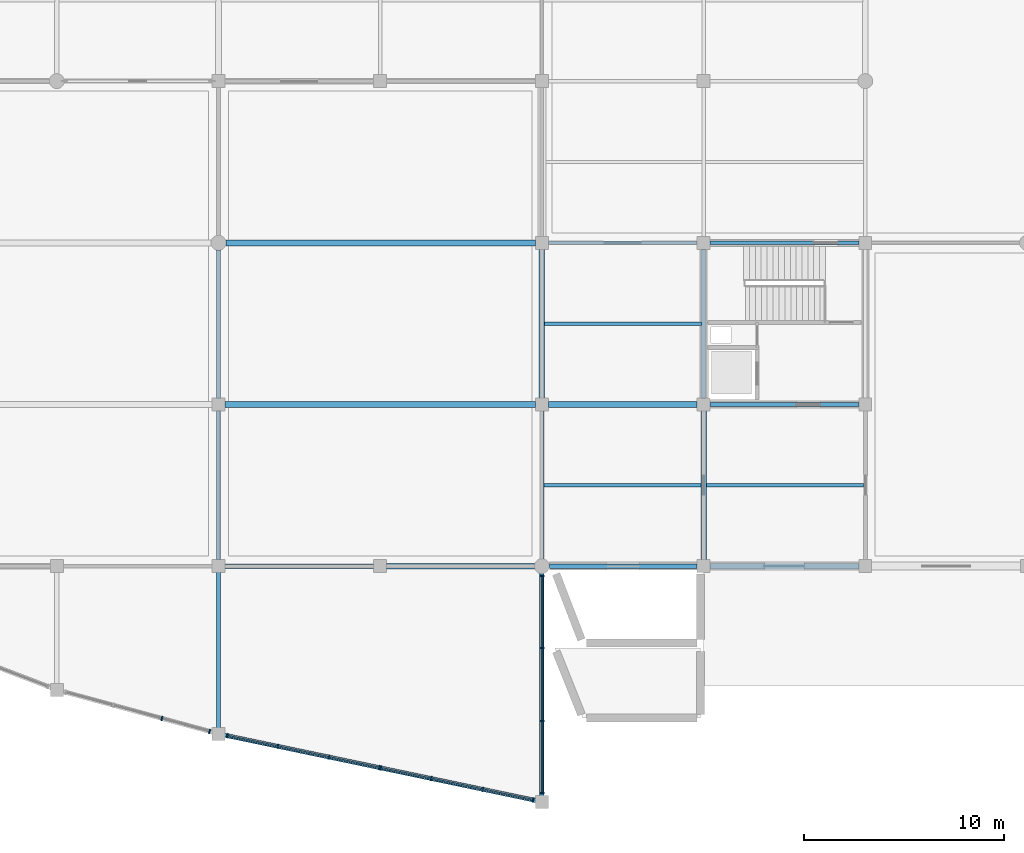
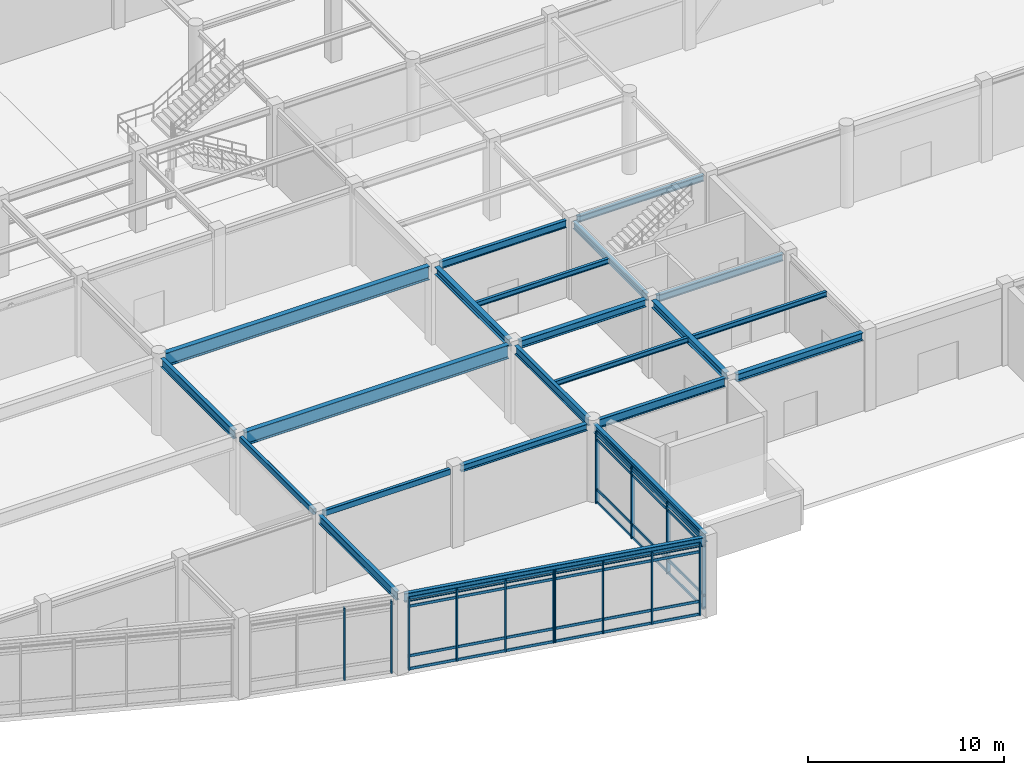
# One storey, part 26 of 99: 26 members, 22 beams, 4 elements without a shape of their own.
"""IFC4 building model written with IfcOpenShell, lengths in metres."""

from ifc_helpers import new_model, si_unit, direction, frame, origin, origin_2d, place, context, subcontext, project, spatial, rectangle, hollow_rectangle, i_section, extrude, material, layer, layer_set, material_profile, profile_set, type_object, element, aggregate, save


model = new_model("IFC4")

# Units and contexts
model_context = context("Model", 3, precision=1e-05, world=origin(), true_north=direction((0.0, 1.0)))
body_context = subcontext(model_context, "Body", "Model", "MODEL_VIEW")
ifc_project = project(units=[si_unit("LENGTHUNIT", "METRE"), si_unit("AREAUNIT", "SQUARE_METRE"), si_unit("VOLUMEUNIT", "CUBIC_METRE"), si_unit("PLANEANGLEUNIT", "RADIAN"), si_unit("MASSUNIT", "GRAM", prefix="KILO")], contexts=[model_context])

# Site, building, storey
site_placement = place(None, origin())
site = spatial("IfcSite", under=ifc_project, at=site_placement, CompositionType="ELEMENT")
building_placement = place(site_placement, origin())
building = spatial("IfcBuilding", under=site, at=building_placement, Name="Vaudrelin Polytechnic", CompositionType="ELEMENT")
storey_placement = place(building_placement, origin())
storey = spatial("IfcBuildingStorey", under=building, at=storey_placement, Name="L00", CompositionType="ELEMENT", Elevation=0.0)

# Beams
ifc_material_1 = material(Name="Steel CSA G40.21 350W", Category="steel")
ifc_material_profile_1 = material_profile(ifc_material_1, i_section(OverallWidth=0.178955078125, OverallDepth=0.409912109375, WebThickness=0.0087890625, FlangeThickness=0.014404296875, FilletRadius=0.01611328125, at=origin_2d()), Name="W410x67")
ifc_profile_set_1 = profile_set([ifc_material_profile_1], Name="Steel CSA G40.21 350W")
beam_type_1 = type_object("IfcBeamType", Name="BM-BM-W410", PredefinedType="BEAM", material=ifc_profile_set_1)
beam_1_placement = place(storey_placement, frame((89.4208984375, 16.199951171875, 4.614990234375), z_axis=(1.0, 0.0, 0.0), x_axis=(0.0, 1.0, 0.0)))
element("IfcBeam", 1, at=beam_1_placement, inside=storey, type_object=beam_type_1, Name="L00 X-beam 12-3", PredefinedType="BEAM", context=body_context, shape_type="SweptSolid", body=[
    extrude(i_section(OverallWidth=0.178955078125, OverallDepth=0.409912109375, WebThickness=0.0087890625, FlangeThickness=0.014404296875, FilletRadius=0.01611328125, at=origin_2d()), origin(), (0.0, 0.0, 1.0), 7.4580078125),
])
ifc_material_2 = material(Name="Steel CSA G40.21 350WT", Category="steel")
ifc_material_profile_2 = material_profile(ifc_material_2, i_section(OverallWidth=0.260009765625, OverallDepth=0.4150390625, WebThickness=0.010009765625, FlangeThickness=0.016845703125, FilletRadius=0.01611328125, at=origin_2d()), Name="W410x100")
ifc_profile_set_2 = profile_set([ifc_material_profile_2], Name="Steel CSA G40.21 350WT")
beam_type_2 = type_object("IfcBeamType", Name="BM-BM-W410H", PredefinedType="SPANDREL", material=ifc_profile_set_2)
beam_2_placement = place(storey_placement, frame((73.220947265625, 0.0, 4.612548828125), z_axis=(1.0, 0.0, 0.0), x_axis=(0.0, 1.0, 0.0)))
element("IfcBeam", 2, at=beam_2_placement, inside=storey, type_object=beam_type_2, Name="L00 X-beam 10-1", PredefinedType="SPANDREL", context=body_context, shape_type="SweptSolid", body=[
    extrude(i_section(OverallWidth=0.260009765625, OverallDepth=0.4150390625, WebThickness=0.010009765625, FlangeThickness=0.016845703125, FilletRadius=0.01611328125, at=origin_2d()), origin(), (0.0, 0.0, 1.0), 7.407958984375),
])
ifc_material_profile_3 = material_profile(ifc_material_2, i_section(OverallWidth=0.19091796875, OverallDepth=0.4599609375, WebThickness=0.010009765625, FlangeThickness=0.01611328125, FilletRadius=0.01806640625, at=origin_2d()), Name="W460x82")
ifc_profile_set_3 = profile_set([ifc_material_profile_3], Name="Steel CSA G40.21 350WT")
beam_type_3 = type_object("IfcBeamType", Name="BM-BM-W460", PredefinedType="BEAM", material=ifc_profile_set_3)
beam_3_placement = place(storey_placement, frame((89.10009765625, 8.409912109375, 4.590087890625), z_axis=(0.0, 1.0, 0.0), x_axis=(-1.0, 0.0, 0.0)))
element("IfcBeam", 3, at=beam_3_placement, inside=storey, type_object=beam_type_3, Name="L00 Y-beam 12-2", PredefinedType="BEAM", context=body_context, shape_type="SweptSolid", body=[
    extrude(i_section(OverallWidth=0.19091796875, OverallDepth=0.4599609375, WebThickness=0.010009765625, FlangeThickness=0.01611328125, FilletRadius=0.01806640625, at=origin_2d()), origin(), (0.0, 0.0, 1.0), 7.47998046875),
])
for number, where, z_axis, x_axis, name in (
    (4, (81.321044921875, 16.199951171875, 4.590087890625), (1.0, 0.0, 0.0), (0.0, 1.0, 0.0), "L00 X-beam 11-3"),
    (5, (89.4208984375, 8.10009765625, 4.590087890625), (1.0, 0.0, 0.0), (0.0, 1.0, 0.0), "L00 X-beam 12-2"),
):
    element("IfcBeam", number, at=place(storey_placement, frame(where, z_axis=z_axis, x_axis=x_axis)), inside=storey, type_object=beam_type_3, Name=name, PredefinedType="BEAM", context=body_context, shape_type="SweptSolid", body=[
        extrude(i_section(OverallWidth=0.19091796875, OverallDepth=0.4599609375, WebThickness=0.010009765625, FlangeThickness=0.01611328125, FilletRadius=0.01806640625, at=origin_2d()), origin(), (0.0, 0.0, 1.0), 7.4580078125),
    ])
ifc_material_profile_4 = material_profile(ifc_material_1, i_section(OverallWidth=0.280029296875, OverallDepth=0.462890625, WebThickness=0.0107421875, FlangeThickness=0.017333984375, FilletRadius=0.01806640625, at=origin_2d()), Name="W460x113")
ifc_profile_set_4 = profile_set([ifc_material_profile_4], Name="Steel CSA G40.21 350W")
beam_type_4 = type_object("IfcBeamType", Name="BM-BM-W460H", PredefinedType="BEAM", material=ifc_profile_set_4)
for number, where, z_axis, x_axis, name in (
    (6, (81.0, 8.409912109375, 4.58837890625), (0.0, 1.0, 0.0), (-1.0, 0.0, 0.0), "L00 Y-beam 11-2"),
    (7, (89.10009765625, 0.31005859375, 4.58837890625), (0.0, 1.0, 0.0), (-1.0, 0.0, 0.0), "L00 Y-beam 12-1"),
):
    element("IfcBeam", number, at=place(storey_placement, frame(where, z_axis=z_axis, x_axis=x_axis)), inside=storey, type_object=beam_type_4, Name=name, PredefinedType="BEAM", context=body_context, shape_type="SweptSolid", body=[
        extrude(i_section(OverallWidth=0.280029296875, OverallDepth=0.462890625, WebThickness=0.0107421875, FlangeThickness=0.017333984375, FilletRadius=0.01806640625, at=origin_2d()), origin(), (0.0, 0.0, 1.0), 7.47998046875),
    ])
for number, where, z_axis, x_axis, name in (
    (8, (81.321044921875, 8.10009765625, 4.58837890625), (1.0, 0.0, 0.0), (0.0, 1.0, 0.0), "L00 X-beam 11-2"),
    (9, (89.4208984375, 0.0, 4.58837890625), (1.0, 0.0, 0.0), (0.0, 1.0, 0.0), "L00 X-beam 12-1"),
):
    element("IfcBeam", number, at=place(storey_placement, frame(where, z_axis=z_axis, x_axis=x_axis)), inside=storey, type_object=beam_type_4, Name=name, PredefinedType="BEAM", context=body_context, shape_type="SweptSolid", body=[
        extrude(i_section(OverallWidth=0.280029296875, OverallDepth=0.462890625, WebThickness=0.0107421875, FlangeThickness=0.017333984375, FilletRadius=0.01806640625, at=origin_2d()), origin(), (0.0, 0.0, 1.0), 7.4580078125),
    ])
ifc_material_profile_5 = material_profile(ifc_material_1, i_section(OverallWidth=0.208984375, OverallDepth=0.532958984375, WebThickness=0.01025390625, FlangeThickness=0.015625, FilletRadius=0.01904296875, at=origin_2d()), Name="W530x92")
ifc_profile_set_5 = profile_set([ifc_material_profile_5], Name="Steel CSA G40.21 350W")
beam_type_5 = type_object("IfcBeamType", Name="BM-BM-W530", PredefinedType="BEAM", material=ifc_profile_set_5)
beam_4_placement = place(storey_placement, frame((81.0, 0.360107421875, 4.553466796875), z_axis=(0.0, 1.0, 0.0), x_axis=(-1.0, 0.0, 0.0)))
element("IfcBeam", 10, at=beam_4_placement, inside=storey, type_object=beam_type_5, Name="L00 Y-beam 11-1", PredefinedType="BEAM", context=body_context, shape_type="SweptSolid", body=[
    extrude(i_section(OverallWidth=0.208984375, OverallDepth=0.532958984375, WebThickness=0.01025390625, FlangeThickness=0.015625, FilletRadius=0.01904296875, at=origin_2d()), origin(), (0.0, 0.0, 1.0), 7.429931640625),
])
beam_5_placement = place(storey_placement, frame((81.37109375, 0.0, 4.553466796875), z_axis=(1.0, 0.0, 0.0), x_axis=(0.0, 1.0, 0.0)))
element("IfcBeam", 11, at=beam_5_placement, inside=storey, type_object=beam_type_5, Name="L00 X-beam 11-1", PredefinedType="BEAM", context=body_context, shape_type="SweptSolid", body=[
    extrude(i_section(OverallWidth=0.208984375, OverallDepth=0.532958984375, WebThickness=0.01025390625, FlangeThickness=0.015625, FilletRadius=0.01904296875, at=origin_2d()), origin(), (0.0, 0.0, 1.0), 7.407958984375),
])
beam_6_placement = place(storey_placement, frame((64.800048828125, -8.179931640625, 4.553466796875), z_axis=(0.0, 1.0, 0.0), x_axis=(-1.0, 0.0, 0.0)))
element("IfcBeam", 12, at=beam_6_placement, inside=storey, type_object=beam_type_5, Name="Sculptural edge beam L00 V2P_TIE_8", PredefinedType="BEAM", context=body_context, shape_type="SweptSolid", body=[
    extrude(i_section(OverallWidth=0.208984375, OverallDepth=0.532958984375, WebThickness=0.01025390625, FlangeThickness=0.015625, FilletRadius=0.01904296875, at=origin_2d()), origin(), (0.0, 0.0, 1.0), 7.9599609375),
])
ifc_material_profile_6 = material_profile(ifc_material_1, i_section(OverallWidth=0.214111328125, OverallDepth=0.549072265625, WebThickness=0.0146484375, FlangeThickness=0.023681640625, FilletRadius=0.01904296875, at=origin_2d()), Name="W530x138")
ifc_profile_set_6 = profile_set([ifc_material_profile_6], Name="Steel CSA G40.21 350W")
beam_type_6 = type_object("IfcBeamType", Name="BM-BM-W530H", PredefinedType="BEAM", material=ifc_profile_set_6)
beam_7_placement = place(storey_placement, frame((64.800048828125, 8.409912109375, 4.54541015625), z_axis=(0.0, 1.0, 0.0), x_axis=(-1.0, 0.0, 0.0)))
element("IfcBeam", 13, at=beam_7_placement, inside=storey, type_object=beam_type_6, Name="L00 Y-beam 9-2", PredefinedType="BEAM", context=body_context, shape_type="SweptSolid", body=[
    extrude(i_section(OverallWidth=0.214111328125, OverallDepth=0.549072265625, WebThickness=0.0146484375, FlangeThickness=0.023681640625, FilletRadius=0.01904296875, at=origin_2d()), origin(), (0.0, 0.0, 1.0), 7.43017578125),
])
beam_8_placement = place(storey_placement, frame((65.015380859375, -8.4453125, 4.54541015625), z_axis=(0.978678204829, -0.205399540875, 0.0), x_axis=(0.205399540875, 0.978678204829, 0.0)))
element("IfcBeam", 14, at=beam_8_placement, inside=storey, type_object=beam_type_6, Name="Sculptural edge beam L00 V2P_BM_3", PredefinedType="BEAM", context=body_context, shape_type="SweptSolid", body=[
    extrude(i_section(OverallWidth=0.214111328125, OverallDepth=0.549072265625, WebThickness=0.0146484375, FlangeThickness=0.023681640625, FilletRadius=0.01904296875, at=origin_2d()), origin(), (0.0, 0.0, 1.0), 16.11279296875),
])
beam_9_placement = place(storey_placement, frame((81.0, -11.580078125, 4.54541015625), z_axis=(0.0, 1.0, 0.0), x_axis=(-1.0, 0.0, 0.0)))
element("IfcBeam", 15, at=beam_9_placement, inside=storey, type_object=beam_type_6, Name="Sculptural edge beam L00 V2P_BM_4", PredefinedType="BEAM", context=body_context, shape_type="SweptSolid", body=[
    extrude(i_section(OverallWidth=0.214111328125, OverallDepth=0.549072265625, WebThickness=0.0146484375, FlangeThickness=0.023681640625, FilletRadius=0.01904296875, at=origin_2d()), origin(), (0.0, 0.0, 1.0), 11.360107421875),
])
ifc_material_profile_7 = material_profile(ifc_material_1, i_section(OverallWidth=0.2919921875, OverallDepth=0.840087890625, WebThickness=0.0146484375, FlangeThickness=0.021728515625, FilletRadius=0.02392578125, at=origin_2d()), Name="W840x193")
ifc_profile_set_7 = profile_set([ifc_material_profile_7], Name="Steel CSA G40.21 350W")
beam_type_7 = type_object("IfcBeamType", Name="BM-BM-W840", PredefinedType="BEAM", material=ifc_profile_set_7)
beam_10_placement = place(storey_placement, frame((65.12109375, 8.10009765625, 4.39990234375), z_axis=(1.0, 0.0, 0.0), x_axis=(0.0, 1.0, 0.0)))
element("IfcBeam", 16, at=beam_10_placement, inside=storey, type_object=beam_type_7, Name="Lecture hall clear-span girder L00-1B", PredefinedType="BEAM", context=body_context, shape_type="SweptSolid", body=[
    extrude(i_section(OverallWidth=0.2919921875, OverallDepth=0.840087890625, WebThickness=0.0146484375, FlangeThickness=0.021728515625, FilletRadius=0.02392578125, at=origin_2d()), origin(), (0.0, 0.0, 1.0), 15.557861328125),
])
beam_11_placement = place(storey_placement, frame((65.1708984375, 16.199951171875, 4.39990234375), z_axis=(1.0, 0.0, 0.0), x_axis=(0.0, 1.0, 0.0)))
element("IfcBeam", 17, at=beam_11_placement, inside=storey, type_object=beam_type_7, Name="Lecture hall clear-span girder L00-2B", PredefinedType="BEAM", context=body_context, shape_type="SweptSolid", body=[
    extrude(i_section(OverallWidth=0.2919921875, OverallDepth=0.840087890625, WebThickness=0.0146484375, FlangeThickness=0.021728515625, FilletRadius=0.02392578125, at=origin_2d()), origin(), (0.0, 0.0, 1.0), 15.508056640625),
])
ifc_material_profile_8 = material_profile(ifc_material_1, i_section(OverallWidth=0.1669921875, OverallDepth=0.31689453125, WebThickness=0.007568359375, FlangeThickness=0.01318359375, FilletRadius=0.013916015625, at=origin_2d()), Name="W310x52")
ifc_profile_set_8 = profile_set([ifc_material_profile_8], Name="Steel CSA G40.21 350W")
beam_type_8 = type_object("IfcBeamType", Name="BM-JS-W310", PredefinedType="JOIST", material=ifc_profile_set_8)
beam_12_placement = place(storey_placement, frame((81.1005859375, 4.050048828125, 4.66162109375), z_axis=(1.0, 0.0, 0.0), x_axis=(0.0, 1.0, 0.0)))
element("IfcBeam", 18, at=beam_12_placement, inside=storey, type_object=beam_type_8, Name="L00 floor joist 11-1", PredefinedType="JOIST", context=body_context, shape_type="SweptSolid", body=[
    extrude(i_section(OverallWidth=0.1669921875, OverallDepth=0.31689453125, WebThickness=0.007568359375, FlangeThickness=0.01318359375, FilletRadius=0.013916015625, at=origin_2d()), origin(), (0.0, 0.0, 1.0), 7.863525390625),
])
beam_13_placement = place(storey_placement, frame((81.135986328125, 12.14990234375, 4.66162109375), z_axis=(1.0, 0.0, 0.0), x_axis=(0.0, 1.0, 0.0)))
element("IfcBeam", 19, at=beam_13_placement, inside=storey, type_object=beam_type_8, Name="L00 floor joist 11-2", PredefinedType="JOIST", context=body_context, shape_type="SweptSolid", body=[
    extrude(i_section(OverallWidth=0.1669921875, OverallDepth=0.31689453125, WebThickness=0.007568359375, FlangeThickness=0.01318359375, FilletRadius=0.013916015625, at=origin_2d()), origin(), (0.0, 0.0, 1.0), 7.87255859375),
])
beam_14_placement = place(storey_placement, frame((89.236083984375, 4.050048828125, 4.66162109375), z_axis=(1.0, 0.0, 0.0), x_axis=(0.0, 1.0, 0.0)))
element("IfcBeam", 20, at=beam_14_placement, inside=storey, type_object=beam_type_8, Name="L00 floor joist 12-1", PredefinedType="JOIST", context=body_context, shape_type="SweptSolid", body=[
    extrude(i_section(OverallWidth=0.1669921875, OverallDepth=0.31689453125, WebThickness=0.007568359375, FlangeThickness=0.01318359375, FilletRadius=0.013916015625, at=origin_2d()), origin(), (0.0, 0.0, 1.0), 7.872314453125),
])
ifc_material_profile_9 = material_profile(ifc_material_2, hollow_rectangle(XDim=0.202880859375, YDim=0.35595703125, WallThickness=0.0126953125, InnerFilletRadius=0.0126953125, OuterFilletRadius=0.025390625, at=origin_2d()), Name="HSS356x203x12.7")
ifc_profile_set_9 = profile_set([ifc_material_profile_9], Name="Steel CSA G40.21 350WT")
beam_type_9 = type_object("IfcBeamType", Name="BM-SP-HSS35", PredefinedType="SPANDREL", material=ifc_profile_set_9)
beam_15_placement = place(storey_placement, frame((64.800048828125, 0.31005859375, 4.64208984375), z_axis=(0.0, 1.0, 0.0), x_axis=(-1.0, 0.0, 0.0)))
element("IfcBeam", 21, at=beam_15_placement, inside=storey, type_object=beam_type_9, Name="L00 Y-beam 9-1", PredefinedType="SPANDREL", context=body_context, shape_type="SweptSolid", body=[
    extrude(hollow_rectangle(XDim=0.202880859375, YDim=0.35595703125, WallThickness=0.0126953125, InnerFilletRadius=0.0126953125, OuterFilletRadius=0.025390625, at=origin_2d()), origin(), (0.0, 0.0, 1.0), 7.47998046875),
])
beam_16_placement = place(storey_placement, frame((65.12109375, 0.0, 4.64208984375), z_axis=(1.0, 0.0, 0.0), x_axis=(0.0, 1.0, 0.0)))
element("IfcBeam", 22, at=beam_16_placement, inside=storey, type_object=beam_type_9, Name="L00 X-beam 9-1", PredefinedType="SPANDREL", context=body_context, shape_type="SweptSolid", body=[
    extrude(hollow_rectangle(XDim=0.202880859375, YDim=0.35595703125, WallThickness=0.0126953125, InnerFilletRadius=0.0126953125, OuterFilletRadius=0.025390625, at=origin_2d()), origin(), (0.0, 0.0, 1.0), 7.4580078125),
])

# Curtain wall, members
ifc_material_3 = material(Name="Thermally broken anodised aluminium AA 6063-T6 and low-e triple glazing", Category="aluminium")
ifc_layer = layer(ifc_material_3, 0.199951171875)
ifc_layer_set = layer_set([ifc_layer], Name="Thermally broken anodised aluminium AA 6063-T6 and low-e triple glazing")
curtain_wall_type = type_object("IfcCurtainWallType", Name="CW-CW-WG", PredefinedType="USERDEFINED", material=ifc_layer_set)
curtain_wall_1_placement = place(storey_placement, origin())
curtain_wall_1 = element("IfcCurtainWall", 23, at=curtain_wall_1_placement, inside=storey, type_object=curtain_wall_type, Name="Curtain wall L00 V2P_2_0", ObjectType="CURTAIN WALL", PredefinedType="USERDEFINED")
ifc_material_4 = material(Name="Anodised aluminium AA 6063-T6", Category="aluminium")
ifc_material_profile_10 = material_profile(ifc_material_4, rectangle(XDim=0.074951171875, YDim=0.219970703125, at=origin_2d()), Name="CWM-75x220")
ifc_profile_set_10 = profile_set([ifc_material_profile_10], Name="Anodised aluminium AA 6063-T6")
member_type_1 = type_object("IfcMemberType", Name="MEM-CWM-220", PredefinedType="MULLION", material=ifc_profile_set_10)
member_1_placement = place(storey_placement, frame((61.96435546875, -7.6298828125, 0.0), z_axis=(0.0, 0.0, 1.0), x_axis=(0.965042039381, -0.26209513965, 0.0)))
member_1 = element("IfcMember", 24, at=member_1_placement, type_object=member_type_1, Name="V2P_2_0 mullion 3", PredefinedType="MULLION", context=body_context, shape_type="SweptSolid", body=[
    extrude(rectangle(XDim=0.074951171875, YDim=0.219970703125, at=origin_2d()), origin(), (0.0, 0.0, 1.0), 4.489990234375),
])
member_2_placement = place(storey_placement, frame((64.3544921875, -8.27880859375, 0.0), z_axis=(0.0, 0.0, 1.0), x_axis=(0.965042039381, -0.26209513965, 0.0)))
member_2 = element("IfcMember", 25, at=member_2_placement, type_object=member_type_1, Name="V2P_2_0 mullion 4", PredefinedType="MULLION", context=body_context, shape_type="SweptSolid", body=[
    extrude(rectangle(XDim=0.074951171875, YDim=0.219970703125, at=origin_2d()), origin(), (0.0, 0.0, 1.0), 4.489990234375),
])
aggregate(curtain_wall_1, [member_1, member_2])

curtain_wall_2_placement = place(storey_placement, origin())
curtain_wall_2 = element("IfcCurtainWall", 26, at=curtain_wall_2_placement, inside=storey, type_object=curtain_wall_type, Name="Curtain wall L00 V2P_3_0", ObjectType="CURTAIN WALL", PredefinedType="USERDEFINED")
member_3_placement = place(storey_placement, frame((65.247314453125, -8.493896484375, 0.0), z_axis=(0.0, 0.0, 1.0), x_axis=(0.978678517459, -0.205398051265, 0.0)))
member_3 = element("IfcMember", 27, at=member_3_placement, type_object=member_type_1, Name="V2P_3_0 mullion 1", PredefinedType="MULLION", context=body_context, shape_type="SweptSolid", body=[
    extrude(rectangle(XDim=0.074951171875, YDim=0.219970703125, at=origin_2d()), origin(), (0.0, 0.0, 1.0), 4.489990234375),
])
member_4_placement = place(storey_placement, frame((67.772216796875, -9.023681640625, 0.0), z_axis=(0.0, 0.0, 1.0), x_axis=(0.978678517459, -0.205398051265, 0.0)))
member_4 = element("IfcMember", 28, at=member_4_placement, type_object=member_type_1, Name="V2P_3_0 mullion 2", PredefinedType="MULLION", context=body_context, shape_type="SweptSolid", body=[
    extrude(rectangle(XDim=0.074951171875, YDim=0.219970703125, at=origin_2d()), origin(), (0.0, 0.0, 1.0), 4.489990234375),
])
member_5_placement = place(storey_placement, frame((70.336181640625, -9.56201171875, 0.0), z_axis=(0.0, 0.0, 1.0), x_axis=(0.978678517459, -0.205398051265, 0.0)))
member_5 = element("IfcMember", 29, at=member_5_placement, type_object=member_type_1, Name="V2P_3_0 mullion 3", PredefinedType="MULLION", context=body_context, shape_type="SweptSolid", body=[
    extrude(rectangle(XDim=0.074951171875, YDim=0.219970703125, at=origin_2d()), origin(), (0.0, 0.0, 1.0), 4.489990234375),
])
member_6_placement = place(storey_placement, frame((72.86083984375, -10.091796875, 0.0), z_axis=(0.0, 0.0, 1.0), x_axis=(0.978678517459, -0.205398051265, 0.0)))
member_6 = element("IfcMember", 30, at=member_6_placement, type_object=member_type_1, Name="V2P_3_0 mullion 4", PredefinedType="MULLION", context=body_context, shape_type="SweptSolid", body=[
    extrude(rectangle(XDim=0.074951171875, YDim=0.219970703125, at=origin_2d()), origin(), (0.0, 0.0, 1.0), 4.489990234375),
])

curtain_wall_3_placement = place(storey_placement, origin())
curtain_wall_3 = element("IfcCurtainWall", 31, at=curtain_wall_3_placement, inside=storey, type_object=curtain_wall_type, Name="Curtain wall L00 V2P_3_1", ObjectType="CURTAIN WALL", PredefinedType="USERDEFINED")
member_7_placement = place(storey_placement, frame((72.939208984375, -10.108154296875, 0.0), z_axis=(0.0, 0.0, 1.0), x_axis=(0.978678517459, -0.205398051265, 0.0)))
member_7 = element("IfcMember", 32, at=member_7_placement, type_object=member_type_1, Name="V2P_3_1 mullion 1", PredefinedType="MULLION", context=body_context, shape_type="SweptSolid", body=[
    extrude(rectangle(XDim=0.074951171875, YDim=0.219970703125, at=origin_2d()), origin(), (0.0, 0.0, 1.0), 4.489990234375),
])
member_8_placement = place(storey_placement, frame((75.4638671875, -10.63818359375, 0.0), z_axis=(0.0, 0.0, 1.0), x_axis=(0.978678517459, -0.205398051265, 0.0)))
member_8 = element("IfcMember", 33, at=member_8_placement, type_object=member_type_1, Name="V2P_3_1 mullion 2", PredefinedType="MULLION", context=body_context, shape_type="SweptSolid", body=[
    extrude(rectangle(XDim=0.074951171875, YDim=0.219970703125, at=origin_2d()), origin(), (0.0, 0.0, 1.0), 4.489990234375),
])
member_9_placement = place(storey_placement, frame((78.02783203125, -11.17626953125, 0.0), z_axis=(0.0, 0.0, 1.0), x_axis=(0.978678517459, -0.205398051265, 0.0)))
member_9 = element("IfcMember", 34, at=member_9_placement, type_object=member_type_1, Name="V2P_3_1 mullion 3", PredefinedType="MULLION", context=body_context, shape_type="SweptSolid", body=[
    extrude(rectangle(XDim=0.074951171875, YDim=0.219970703125, at=origin_2d()), origin(), (0.0, 0.0, 1.0), 4.489990234375),
])
member_10_placement = place(storey_placement, frame((80.552734375, -11.7060546875, 0.0), z_axis=(0.0, 0.0, 1.0), x_axis=(0.978678517459, -0.205398051265, 0.0)))
member_10 = element("IfcMember", 35, at=member_10_placement, type_object=member_type_1, Name="V2P_3_1 mullion 4", PredefinedType="MULLION", context=body_context, shape_type="SweptSolid", body=[
    extrude(rectangle(XDim=0.074951171875, YDim=0.219970703125, at=origin_2d()), origin(), (0.0, 0.0, 1.0), 4.489990234375),
])

curtain_wall_4_placement = place(storey_placement, origin())
curtain_wall_4 = element("IfcCurtainWall", 36, at=curtain_wall_4_placement, inside=storey, type_object=curtain_wall_type, Name="Curtain wall L00 V2P_4_0", ObjectType="CURTAIN WALL", PredefinedType="USERDEFINED")
member_11_placement = place(storey_placement, frame((81.0, -11.35009765625, 0.0), z_axis=(0.0, 0.0, 1.0), x_axis=(0.0, 1.0, 0.0)))
member_11 = element("IfcMember", 37, at=member_11_placement, type_object=member_type_1, Name="V2P_4_0 mullion 1", PredefinedType="MULLION", context=body_context, shape_type="SweptSolid", body=[
    extrude(rectangle(XDim=0.074951171875, YDim=0.219970703125, at=origin_2d()), origin(), (0.0, 0.0, 1.0), 4.489990234375),
])
member_12_placement = place(storey_placement, frame((81.0, -7.74658203125, 0.0), z_axis=(0.0, 0.0, 1.0), x_axis=(0.0, 1.0, 0.0)))
member_12 = element("IfcMember", 38, at=member_12_placement, type_object=member_type_1, Name="V2P_4_0 mullion 2", PredefinedType="MULLION", context=body_context, shape_type="SweptSolid", body=[
    extrude(rectangle(XDim=0.074951171875, YDim=0.219970703125, at=origin_2d()), origin(), (0.0, 0.0, 1.0), 4.489990234375),
])
member_13_placement = place(storey_placement, frame((81.0, -4.103271484375, 0.0), z_axis=(0.0, 0.0, 1.0), x_axis=(0.0, 1.0, 0.0)))
member_13 = element("IfcMember", 39, at=member_13_placement, type_object=member_type_1, Name="V2P_4_0 mullion 3", PredefinedType="MULLION", context=body_context, shape_type="SweptSolid", body=[
    extrude(rectangle(XDim=0.074951171875, YDim=0.219970703125, at=origin_2d()), origin(), (0.0, 0.0, 1.0), 4.489990234375),
])
member_14_placement = place(storey_placement, frame((81.0, -0.5, 0.0), z_axis=(0.0, 0.0, 1.0), x_axis=(0.0, 1.0, 0.0)))
member_14 = element("IfcMember", 40, at=member_14_placement, type_object=member_type_1, Name="V2P_4_0 mullion 4", PredefinedType="MULLION", context=body_context, shape_type="SweptSolid", body=[
    extrude(rectangle(XDim=0.074951171875, YDim=0.219970703125, at=origin_2d()), origin(), (0.0, 0.0, 1.0), 4.489990234375),
])

# Member
ifc_material_profile_11 = material_profile(ifc_material_4, rectangle(XDim=0.074951171875, YDim=0.1650390625, at=origin_2d()), Name="CWT-75x165")
ifc_profile_set_11 = profile_set([ifc_material_profile_11], Name="Anodised aluminium AA 6063-T6")
member_type_2 = type_object("IfcMemberType", Name="MEM-CWT-165", PredefinedType="USERDEFINED", material=ifc_profile_set_11)
member_15_placement = place(storey_placement, frame((65.208251953125, -8.485595703125, 0.050048828125), z_axis=(0.978672548536, -0.205426489874, 0.0), x_axis=(0.205426489874, 0.978672548536, 0.0)))
member_15 = element("IfcMember", 41, at=member_15_placement, type_object=member_type_2, Name="V2P_3_0 transom 1", ObjectType="TRANSOM", PredefinedType="USERDEFINED", context=body_context, shape_type="SweptSolid", body=[
    extrude(rectangle(XDim=0.074951171875, YDim=0.1650390625, at=origin_2d()), origin(), (0.0, 0.0, 1.0), 7.859375),
])

member_16_placement = place(storey_placement, frame((65.208251953125, -8.485595703125, 0.85009765625), z_axis=(0.978672548536, -0.205426489874, 0.0), x_axis=(0.205426489874, 0.978672548536, 0.0)))
member_16 = element("IfcMember", 42, at=member_16_placement, type_object=member_type_2, Name="V2P_3_0 transom 2", ObjectType="TRANSOM", PredefinedType="USERDEFINED", context=body_context, shape_type="SweptSolid", body=[
    extrude(rectangle(XDim=0.074951171875, YDim=0.1650390625, at=origin_2d()), origin(), (0.0, 0.0, 1.0), 7.859375),
])

member_17_placement = place(storey_placement, frame((65.208251953125, -8.485595703125, 3.93994140625), z_axis=(0.978672548536, -0.205426489874, 0.0), x_axis=(0.205426489874, 0.978672548536, 0.0)))
member_17 = element("IfcMember", 43, at=member_17_placement, type_object=member_type_2, Name="V2P_3_0 transom 3", ObjectType="TRANSOM", PredefinedType="USERDEFINED", context=body_context, shape_type="SweptSolid", body=[
    extrude(rectangle(XDim=0.074951171875, YDim=0.1650390625, at=origin_2d()), origin(), (0.0, 0.0, 1.0), 7.859375),
])

member_18_placement = place(storey_placement, frame((65.208251953125, -8.485595703125, 4.43994140625), z_axis=(0.978672548536, -0.205426489874, 0.0), x_axis=(0.205426489874, 0.978672548536, 0.0)))
member_18 = element("IfcMember", 44, at=member_18_placement, type_object=member_type_2, Name="V2P_3_0 transom 4", ObjectType="TRANSOM", PredefinedType="USERDEFINED", context=body_context, shape_type="SweptSolid", body=[
    extrude(rectangle(XDim=0.074951171875, YDim=0.1650390625, at=origin_2d()), origin(), (0.0, 0.0, 1.0), 7.859375),
])

aggregate(curtain_wall_2, [member_3, member_4, member_5, member_6, member_15, member_16, member_17, member_18])

member_19_placement = place(storey_placement, frame((72.89990234375, -10.10009765625, 0.050048828125), z_axis=(0.978680103874, -0.205390492186, 0.0), x_axis=(0.205390492186, 0.978680103874, 0.0)))
member_19 = element("IfcMember", 45, at=member_19_placement, type_object=member_type_2, Name="V2P_3_1 transom 1", ObjectType="TRANSOM", PredefinedType="USERDEFINED", context=body_context, shape_type="SweptSolid", body=[
    extrude(rectangle(XDim=0.074951171875, YDim=0.1650390625, at=origin_2d()), origin(), (0.0, 0.0, 1.0), 7.859375),
])

member_20_placement = place(storey_placement, frame((72.89990234375, -10.10009765625, 0.85009765625), z_axis=(0.978680103874, -0.205390492186, 0.0), x_axis=(0.205390492186, 0.978680103874, 0.0)))
member_20 = element("IfcMember", 46, at=member_20_placement, type_object=member_type_2, Name="V2P_3_1 transom 2", ObjectType="TRANSOM", PredefinedType="USERDEFINED", context=body_context, shape_type="SweptSolid", body=[
    extrude(rectangle(XDim=0.074951171875, YDim=0.1650390625, at=origin_2d()), origin(), (0.0, 0.0, 1.0), 7.859375),
])

member_21_placement = place(storey_placement, frame((72.89990234375, -10.10009765625, 3.93994140625), z_axis=(0.978680103874, -0.205390492186, 0.0), x_axis=(0.205390492186, 0.978680103874, 0.0)))
member_21 = element("IfcMember", 47, at=member_21_placement, type_object=member_type_2, Name="V2P_3_1 transom 3", ObjectType="TRANSOM", PredefinedType="USERDEFINED", context=body_context, shape_type="SweptSolid", body=[
    extrude(rectangle(XDim=0.074951171875, YDim=0.1650390625, at=origin_2d()), origin(), (0.0, 0.0, 1.0), 7.859375),
])

member_22_placement = place(storey_placement, frame((72.89990234375, -10.10009765625, 4.43994140625), z_axis=(0.978680103874, -0.205390492186, 0.0), x_axis=(0.205390492186, 0.978680103874, 0.0)))
member_22 = element("IfcMember", 48, at=member_22_placement, type_object=member_type_2, Name="V2P_3_1 transom 4", ObjectType="TRANSOM", PredefinedType="USERDEFINED", context=body_context, shape_type="SweptSolid", body=[
    extrude(rectangle(XDim=0.074951171875, YDim=0.1650390625, at=origin_2d()), origin(), (0.0, 0.0, 1.0), 7.859375),
])

aggregate(curtain_wall_3, [member_7, member_8, member_9, member_10, member_19, member_20, member_21, member_22])

member_23_placement = place(storey_placement, frame((81.0, -11.389892578125, 0.050048828125), z_axis=(0.0, 1.0, 0.0), x_axis=(-1.0, 0.0, 0.0)))
member_23 = element("IfcMember", 49, at=member_23_placement, type_object=member_type_2, Name="V2P_4_0 transom 1", ObjectType="TRANSOM", PredefinedType="USERDEFINED", context=body_context, shape_type="SweptSolid", body=[
    extrude(rectangle(XDim=0.074951171875, YDim=0.1650390625, at=origin_2d()), origin(), (0.0, 0.0, 1.0), 10.929931640625),
])

member_24_placement = place(storey_placement, frame((81.0, -11.389892578125, 0.85009765625), z_axis=(0.0, 1.0, 0.0), x_axis=(-1.0, 0.0, 0.0)))
member_24 = element("IfcMember", 50, at=member_24_placement, type_object=member_type_2, Name="V2P_4_0 transom 2", ObjectType="TRANSOM", PredefinedType="USERDEFINED", context=body_context, shape_type="SweptSolid", body=[
    extrude(rectangle(XDim=0.074951171875, YDim=0.1650390625, at=origin_2d()), origin(), (0.0, 0.0, 1.0), 10.929931640625),
])

member_25_placement = place(storey_placement, frame((81.0, -11.389892578125, 3.93994140625), z_axis=(0.0, 1.0, 0.0), x_axis=(-1.0, 0.0, 0.0)))
member_25 = element("IfcMember", 51, at=member_25_placement, type_object=member_type_2, Name="V2P_4_0 transom 3", ObjectType="TRANSOM", PredefinedType="USERDEFINED", context=body_context, shape_type="SweptSolid", body=[
    extrude(rectangle(XDim=0.074951171875, YDim=0.1650390625, at=origin_2d()), origin(), (0.0, 0.0, 1.0), 10.929931640625),
])

member_26_placement = place(storey_placement, frame((81.0, -11.389892578125, 4.43994140625), z_axis=(0.0, 1.0, 0.0), x_axis=(-1.0, 0.0, 0.0)))
member_26 = element("IfcMember", 52, at=member_26_placement, type_object=member_type_2, Name="V2P_4_0 transom 4", ObjectType="TRANSOM", PredefinedType="USERDEFINED", context=body_context, shape_type="SweptSolid", body=[
    extrude(rectangle(XDim=0.074951171875, YDim=0.1650390625, at=origin_2d()), origin(), (0.0, 0.0, 1.0), 10.929931640625),
])

aggregate(curtain_wall_4, [member_11, member_12, member_13, member_14, member_23, member_24, member_25, member_26])

save(model, "model.ifc")
